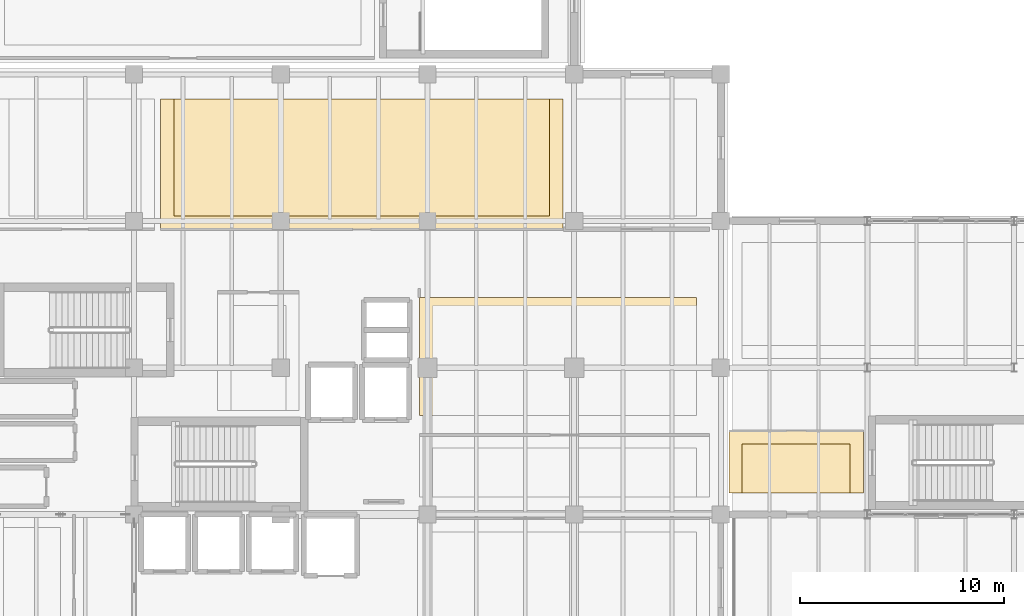
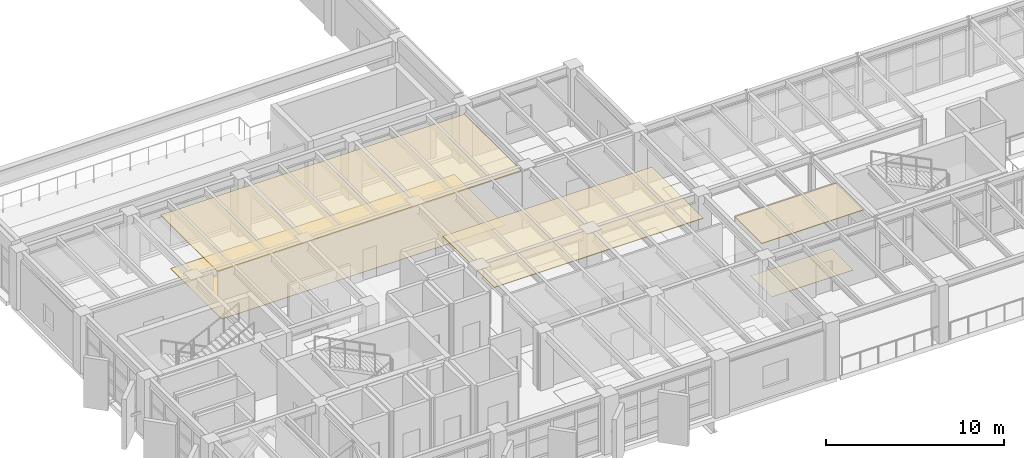
# One storey, part 53 of 59: 5 coverings.
"""IFC4 building model written with IfcOpenShell, lengths in metres."""

import ifcopenshell
import ifcopenshell.guid

model = None  # the IFC model being written
_history = None  # IfcOwnerHistory: only IFC2X3 demands one
_inside = {}  # id of a spatial element -> (the spatial element, [elements in it])
_under = {}  # id of a project, library or spatial element -> (it, [spatial elements below it])
_declared = {}  # id of a project -> (the project, [libraries it declares])
_typed = {}  # id of a type object -> (the type object, [elements of that type])
_made_of = {}  # id of a material, layer set ... -> (it, [elements and type objects made of it])


def new_model(schema):
    """Start an empty IFC model of exactly this schema.

    Asked for "IFC4X3", IfcOpenShell would pick the latest addendum, in which some entities
    have other attributes; the version numbers below select the first issue.
    IFC2X3 requires an IfcOwnerHistory on every rooted entity: one is made here for all.
    """
    global model, _history
    if schema == "IFC4X3":
        model = ifcopenshell.file(schema_version=(4, 3, 0, 0))
    else:
        model = ifcopenshell.file(schema=schema)
    _inside.clear()
    _under.clear()
    _declared.clear()
    _typed.clear()
    _made_of.clear()
    _history = None
    if model.schema == "IFC2X3":
        org = make("IfcOrganization", Name="unknown")
        user = make(
            "IfcPersonAndOrganization",
            ThePerson=make("IfcPerson", FamilyName="unknown"),
            TheOrganization=org,
        )
        app = make(
            "IfcApplication",
            ApplicationDeveloper=org,
            Version="unknown",
            ApplicationFullName="unknown",
            ApplicationIdentifier="unknown",
        )
        _history = make(
            "IfcOwnerHistory",
            OwningUser=user,
            OwningApplication=app,
            ChangeAction="ADDED",
            CreationDate=0,
        )
    return model


def make(cls, **values):
    """One entity of the class cls with the attributes given. An attribute that is None is left unset."""
    return model.create_entity(
        cls, **{name: value for name, value in values.items() if value is not None}
    )


def rooted(cls, **values):
    """An entity with a GlobalId (a new one), such as an element, a storey or a relation."""
    return make(cls, GlobalId=ifcopenshell.guid.new(), OwnerHistory=_history, **values)


def si_unit(unit_type, name, prefix=None):
    """IfcSIUnit, for example si_unit("LENGTHUNIT", "METRE", prefix="MILLI")."""
    return make("IfcSIUnit", UnitType=unit_type, Prefix=prefix, Name=name)


def assignment(units):
    """IfcUnitAssignment: the units of a project."""
    return None if units is None else make("IfcUnitAssignment", Units=units)


def point(xyz):
    """IfcCartesianPoint."""
    return None if xyz is None else make("IfcCartesianPoint", Coordinates=xyz)


def direction(xyz):
    """IfcDirection."""
    return None if xyz is None else make("IfcDirection", DirectionRatios=xyz)


def frame(location, z_axis=None, x_axis=None):
    """IfcAxis2Placement3D, a coordinate frame: its origin and axes. An axis left out is left unset."""
    return make(
        "IfcAxis2Placement3D",
        Location=point(location),
        Axis=direction(z_axis),
        RefDirection=direction(x_axis),
    )


def origin():
    """The frame at (0, 0, 0) with its axes left unset."""
    return frame((0.0, 0.0, 0.0))


def place(relative_to, where):
    """IfcLocalPlacement: puts the frame where relative to a parent placement (None: the world)."""
    return make(
        "IfcLocalPlacement", PlacementRelTo=relative_to, RelativePlacement=where
    )


def context(
    kind, dimensions, precision=None, world=None, true_north=None, identifier=None
):
    """IfcGeometricRepresentationContext, for example the 3D "Model" context."""
    return make(
        "IfcGeometricRepresentationContext",
        ContextIdentifier=identifier,
        ContextType=kind,
        CoordinateSpaceDimension=dimensions,
        Precision=precision,
        WorldCoordinateSystem=world,
        TrueNorth=true_north,
    )


def subcontext(parent, identifier, kind, view, scale=None):
    """IfcGeometricRepresentationSubContext, for example "Body" below "Model"."""
    return make(
        "IfcGeometricRepresentationSubContext",
        ContextIdentifier=identifier,
        ContextType=kind,
        ParentContext=parent,
        TargetScale=scale,
        TargetView=view,
    )


def project(units=None, contexts=None):
    """IfcProject with its units and contexts."""
    return rooted(
        "IfcProject",
        Name="project",
        RepresentationContexts=contexts,
        UnitsInContext=assignment(units),
    )


def spatial(cls, under=None, at=None, **own):
    """A site, building, storey or space (cls), placed at a placement, below another one or the project."""
    s = rooted(cls, ObjectPlacement=at, **own)
    if under is not None:
        _under.setdefault(under.id(), (under, []))[1].append(s)
    return s


def polyline(points):
    """IfcPolyline through the points."""
    return make("IfcPolyline", Points=[point(p) for p in points])


def outline(outer, holes=None, kind="AREA"):
    """IfcArbitraryClosedProfileDef: a profile drawn as a closed curve; with holes, ...WithVoids."""
    if holes is None:
        return make("IfcArbitraryClosedProfileDef", ProfileType=kind, OuterCurve=outer)
    return make(
        "IfcArbitraryProfileDefWithVoids",
        ProfileType=kind,
        OuterCurve=outer,
        InnerCurves=holes,
    )


def extrude(swept, where, along, depth):
    """IfcExtrudedAreaSolid: the profile swept, set in the frame where, extruded along a direction by depth."""
    return make(
        "IfcExtrudedAreaSolid",
        SweptArea=swept,
        Position=where,
        ExtrudedDirection=direction(along),
        Depth=depth,
    )


def shape(context_of_items, identifier, shape_type, items):
    """IfcShapeRepresentation: the items that make up one representation, for example the "Body"."""
    return make(
        "IfcShapeRepresentation",
        ContextOfItems=context_of_items,
        RepresentationIdentifier=identifier,
        RepresentationType=shape_type,
        Items=items,
    )


def material(Name=None, Category=None):
    """IfcMaterial."""
    return make("IfcMaterial", Name=Name, Category=Category)


def layer(
    of_material, thickness, ventilated=None, Name=None, Category=None, Priority=None
):
    """IfcMaterialLayer: one layer of a wall or slab, of a material (None: an air gap)."""
    return make(
        "IfcMaterialLayer",
        Material=of_material,
        LayerThickness=thickness,
        IsVentilated=ventilated,
        Name=Name,
        Category=Category,
        Priority=Priority,
    )


def layer_set(layers, Name=None):
    """IfcMaterialLayerSet."""
    return make("IfcMaterialLayerSet", MaterialLayers=layers, LayerSetName=Name)


def made_of(thing, what):
    """Note that an element or type object is made of a material, layer set ...; save() writes the relation."""
    if what is not None:
        _made_of.setdefault(what.id(), (what, []))[1].append(thing)
    return thing


def type_object(cls, material=None, **own):
    """A type object (cls), such as IfcWallType, which elements share."""
    return made_of(rooted(cls, **own), material)


def element(
    cls,
    number,
    at=None,
    inside=None,
    cuts=None,
    type_object=None,
    material=None,
    context=None,
    identifier="Body",
    shape_type=None,
    held_by="IfcProductDefinitionShape",
    body=None,
    shapes=None,
    **own,
):
    """One element of the class cls, such as IfcWall. Its Tag is "e" and its number.

    at: its placement. inside: the storey or other place that contains it. cuts: it is an
    opening in that element (IfcRelVoidsElement). A single representation is given by context,
    identifier, shape_type and body (its items); several are given by shapes. held_by: the class
    of the entity that holds the representations. save() writes the other relations.
    """
    e = rooted(cls, Tag="e%d" % number, ObjectPlacement=at, **own)
    if body is not None:
        shapes = [shape(context, identifier, shape_type, body)]
    if shapes is not None:
        e.Representation = make(held_by, Representations=shapes)
    if inside is not None:
        _inside.setdefault(inside.id(), (inside, []))[1].append(e)
    if cuts is not None:
        rooted(
            "IfcRelVoidsElement", RelatingBuildingElement=cuts, RelatedOpeningElement=e
        )
    if type_object is not None:
        _typed.setdefault(type_object.id(), (type_object, []))[1].append(e)
    return made_of(e, material)


def aggregate(whole, parts):
    """IfcRelAggregates: a whole, such as a stair, and the parts it consists of."""
    return rooted("IfcRelAggregates", RelatingObject=whole, RelatedObjects=parts)


def save(model, path):
    """Write the relations noted so far, then the file.

    IfcRelAggregates (storeys below a building ...), IfcRelContainedInSpatialStructure (elements
    in a storey), IfcRelDefinesByType, IfcRelAssociatesMaterial and IfcRelDeclares: one each for
    every whole, place, type object, material and project.
    """
    for whole, parts in _under.values():
        aggregate(whole, parts)
    for where, things in _inside.values():
        rooted(
            "IfcRelContainedInSpatialStructure",
            RelatedElements=things,
            RelatingStructure=where,
        )
    for kind, things in _typed.values():
        rooted("IfcRelDefinesByType", RelatedObjects=things, RelatingType=kind)
    for what, things in _made_of.values():
        rooted("IfcRelAssociatesMaterial", RelatedObjects=things, RelatingMaterial=what)
    for by, libraries in _declared.values():
        rooted("IfcRelDeclares", RelatingContext=by, RelatedDefinitions=libraries)
    model.write(path)


model = new_model("IFC4")

# Units and contexts
model_context = context("Model", 3, precision=1e-05, world=origin(), true_north=direction((0.0, 1.0)))
body_context = subcontext(model_context, "Body", "Model", "MODEL_VIEW")
ifc_project = project(units=[si_unit("LENGTHUNIT", "METRE"), si_unit("AREAUNIT", "SQUARE_METRE"), si_unit("VOLUMEUNIT", "CUBIC_METRE"), si_unit("PLANEANGLEUNIT", "RADIAN"), si_unit("MASSUNIT", "GRAM", prefix="KILO")], contexts=[model_context])

# Site, building, storey
site_placement = place(None, origin())
site = spatial("IfcSite", under=ifc_project, at=site_placement, CompositionType="ELEMENT")
building_placement = place(site_placement, origin())
building = spatial("IfcBuilding", under=site, at=building_placement, Name="Kandorven Conservatory and Botanical Research Centre", CompositionType="ELEMENT")
storey_placement = place(building_placement, frame((0.0, 0.0, 4.800048828125)))
storey = spatial("IfcBuildingStorey", under=building, at=storey_placement, Name="L01", CompositionType="ELEMENT", Elevation=4.800048828125)

# Coverings
ifc_material_1 = material(Name="Perforated mineral-fibre acoustic ceiling tile", Category="gypsum")
ifc_layer_1 = layer(ifc_material_1, 0.0400390625)
ifc_layer_set_1 = layer_set([ifc_layer_1], Name="Perforated mineral-fibre acoustic ceiling tile")
covering_type_1 = type_object("IfcCoveringType", Name="Cov_Ceiling_1", PredefinedType="CEILING", material=ifc_layer_set_1)
covering_1_placement = place(storey_placement, frame((0.0, 0.0, 3.889892578125)))
element("IfcCovering", 1, at=covering_1_placement, inside=storey, type_object=covering_type_1, Name="Suspended acoustic ceiling CLG-01 (DNA Sequencing and PCR Research Laboratory)", PredefinedType="CEILING", context=body_context, shape_type="SweptSolid", body=[
    extrude(outline(polyline([(27.199951171875, 18.050048828125), (40.800048828125, 18.050048828125), (40.800048828125, 23.85009765625), (27.199951171875, 23.85009765625), (27.199951171875, 18.050048828125)])), origin(), (0.0, 0.0, 1.0), 0.0400390625),
])
covering_2_placement = place(storey_placement, frame((0.0, 0.0, 3.889892578125)))
element("IfcCovering", 2, at=covering_2_placement, inside=storey, type_object=covering_type_1, Name="Suspended acoustic ceiling CLG-01 (Botanical Microscopy Suite)", PredefinedType="CEILING", context=body_context, shape_type="SweptSolid", body=[
    extrude(outline(polyline([(14.5, 27.199951171875), (34.25, 27.199951171875), (34.25, 33.60009765625), (14.5, 33.60009765625), (14.5, 27.199951171875)])), origin(), (0.0, 0.0, 1.0), 0.0400390625),
])
covering_3_placement = place(storey_placement, frame((0.0, 0.0, 3.889892578125)))
element("IfcCovering", 3, at=covering_3_placement, inside=storey, type_object=covering_type_1, Name="Suspended acoustic ceiling CLG-01 (Flora of Gujarat Permanent Exhibition Gallery)", PredefinedType="CEILING", context=body_context, shape_type="SweptSolid", body=[
    extrude(outline(polyline([(42.39990234375, 14.25), (49.0, 14.25), (49.0, 17.300048828125), (42.39990234375, 17.300048828125), (42.39990234375, 14.25)])), origin(), (0.0, 0.0, 1.0), 0.0400390625),
])
ifc_material_2 = material(Name="Honed Kota stone and epoxy laboratory flooring", Category="masonry")
ifc_layer_2 = layer(ifc_material_2, 0.02490234375)
ifc_layer_set_2 = layer_set([ifc_layer_2], Name="Honed Kota stone and epoxy laboratory flooring")
covering_type_2 = type_object("IfcCoveringType", Name="Cov_Flooring_1", PredefinedType="FLOORING", material=ifc_layer_set_2)
covering_4_placement = place(storey_placement, origin())
element("IfcCovering", 4, at=covering_4_placement, inside=storey, type_object=covering_type_2, Name="Floor finish FLR-01 (Botanical Microscopy Suite)", PredefinedType="FLOORING", context=body_context, shape_type="SweptSolid", body=[
    extrude(outline(polyline([(15.14990234375, 27.85009765625), (33.60009765625, 27.85009765625), (33.60009765625, 33.60009765625), (15.14990234375, 33.60009765625), (15.14990234375, 27.85009765625)])), origin(), (0.0, 0.0, 1.0), 0.02490234375),
])
covering_5_placement = place(storey_placement, origin())
element("IfcCovering", 5, at=covering_5_placement, inside=storey, type_object=covering_type_2, Name="Floor finish FLR-01 (Flora of Gujarat Permanent Exhibition Gallery)", PredefinedType="FLOORING", context=body_context, shape_type="SweptSolid", body=[
    extrude(outline(polyline([(43.050048828125, 14.25), (48.35009765625, 14.25), (48.35009765625, 16.64990234375), (43.050048828125, 16.64990234375), (43.050048828125, 14.25)])), origin(), (0.0, 0.0, 1.0), 0.02490234375),
])

save(model, "model.ifc")
